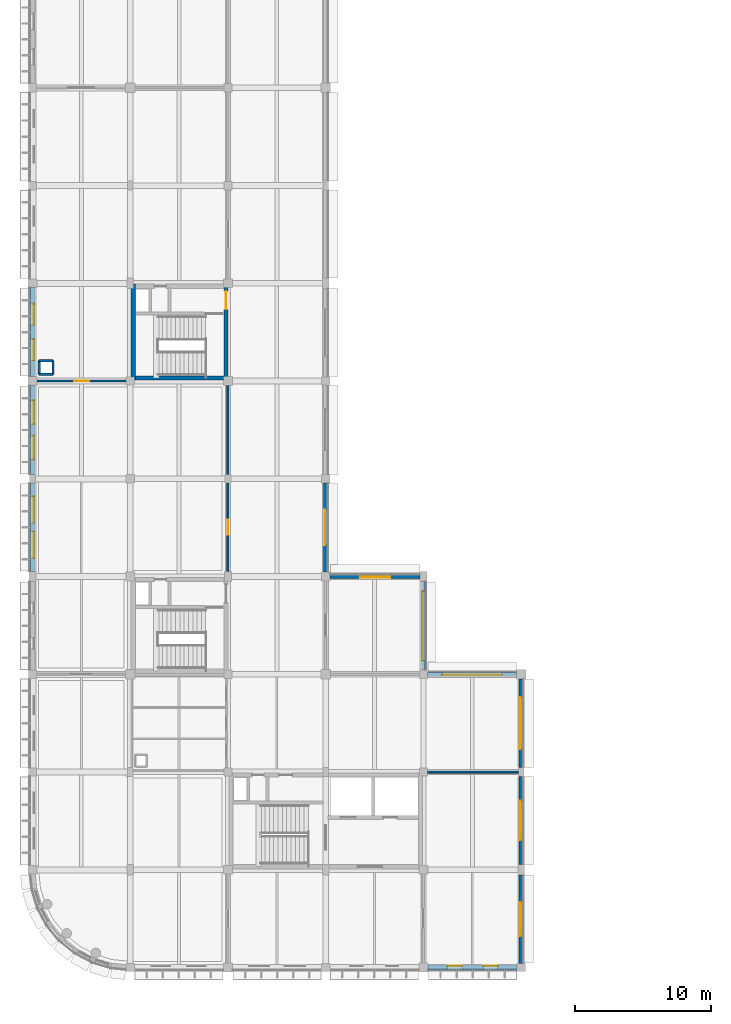
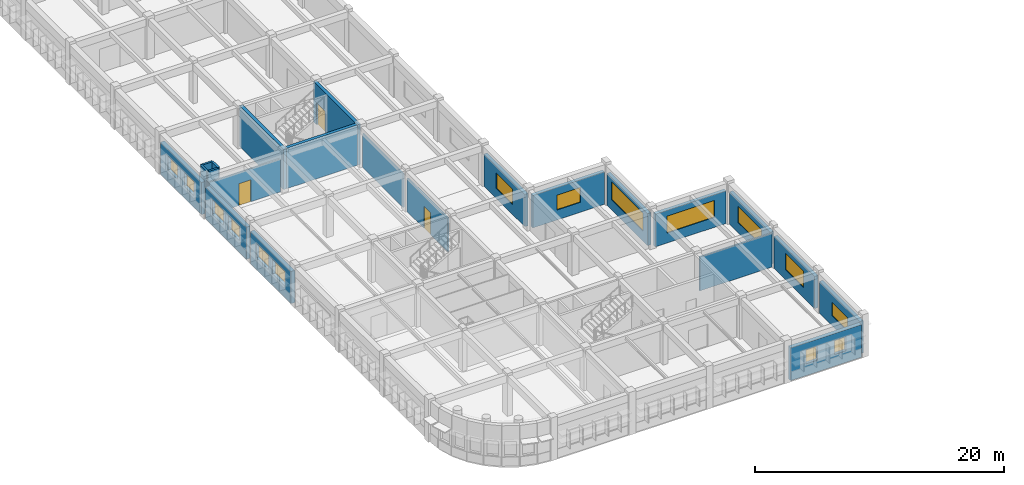
# One storey, part 21 of 38: 22 walls, 15 windows, 3 doors, 18 openings.
"""IFC4 building model written with IfcOpenShell, lengths in metres."""

from ifc_helpers import new_model, si_unit, direction, frame, frame_2d, origin, place, context, subcontext, project, spatial, rectangle, extrude, material, layer, layer_set, type_object, element, fill, save


model = new_model("IFC4")

# Units and contexts
model_context = context("Model", 3, precision=1e-05, world=origin(), true_north=direction((0.0, 1.0)))
body_context = subcontext(model_context, "Body", "Model", "MODEL_VIEW")
ifc_project = project(units=[si_unit("LENGTHUNIT", "METRE"), si_unit("AREAUNIT", "SQUARE_METRE"), si_unit("VOLUMEUNIT", "CUBIC_METRE"), si_unit("PLANEANGLEUNIT", "RADIAN"), si_unit("MASSUNIT", "GRAM", prefix="KILO")], contexts=[model_context])

# Site, building, storey
site_placement = place(None, origin())
site = spatial("IfcSite", under=ifc_project, at=site_placement, CompositionType="ELEMENT")
building_placement = place(site_placement, origin())
building = spatial("IfcBuilding", under=site, at=building_placement, Name="Thalmaran Polytechnic", CompositionType="ELEMENT")
storey_placement = place(building_placement, frame((0.0, 0.0, 18.60009765625)))
storey = spatial("IfcBuildingStorey", under=building, at=storey_placement, Name="L04", CompositionType="ELEMENT", Elevation=18.60009765625)

# Wall, openings, windows
ifc_material_1 = material(Name="Precast concrete C40/50", Category="concrete")
ifc_layer_1 = layer(ifc_material_1, 0.360107421875, Name="Precast concrete C40/50")
ifc_layer_set_1 = layer_set([ifc_layer_1], Name="Precast concrete C40/50")
wall_type_1 = type_object("IfcWallType", Name="WL-EW01", PredefinedType="STANDARD", material=ifc_layer_set_1)
wall_1_placement = place(storey_placement, frame((0.0, 29.175048828125, 0.0), z_axis=(0.0, 0.0, 1.0), x_axis=(0.0, 1.0, 0.0)))
wall_1 = element("IfcWall", 1, at=wall_1_placement, inside=storey, type_object=wall_type_1, Name="Exterior Precast Facade Wall L04-029", PredefinedType="STANDARD", context=body_context, shape_type="SweptSolid", body=[
    extrude(rectangle(XDim=6.5048828125, YDim=0.360107421875, at=frame_2d((3.25244140625, 0.0))), origin(), (0.0, 0.0, 1.0), 3.14990234375),
])
opening_1_placement = place(wall_1_placement, frame((0.9765625, 0.0, 1.14990234375)))
opening_1 = element("IfcOpeningElement", 2, at=opening_1_placement, cuts=wall_1, Name="Opening VW07", PredefinedType="OPENING", context=body_context, shape_type="SweptSolid", body=[
    extrude(rectangle(XDim=1.949951171875, YDim=1.39990234375, at=frame_2d((0.97509765625, 0.699951171875))), frame((0.0, 0.18994140625, 0.0), z_axis=(0.0, -1.0, 0.0), x_axis=(1.0, 0.0, 0.0)), (0.0, 0.0, 1.0), 0.380126953125),
])
opening_2_placement = place(wall_1_placement, frame((3.57861328125, 0.0, 1.14990234375)))
opening_2 = element("IfcOpeningElement", 3, at=opening_2_placement, cuts=wall_1, Name="Opening VW07", PredefinedType="OPENING", context=body_context, shape_type="SweptSolid", body=[
    extrude(rectangle(XDim=1.949951171875, YDim=1.39990234375, at=frame_2d((0.97509765625, 0.699951171875))), frame((0.0, 0.18994140625, 0.0), z_axis=(0.0, -1.0, 0.0), x_axis=(1.0, 0.0, 0.0)), (0.0, 0.0, 1.0), 0.380126953125),
])
ifc_material_2 = material(Name="Thermally broken aluminium and double low-E glass", Category="aluminium")
window_type_1 = type_object("IfcWindowType", Name="WN-VZ07", PartitioningType="SINGLE_PANEL", PredefinedType="WINDOW", material=ifc_material_2)
window_1_placement = place(opening_1_placement, origin())
window_1 = element("IfcWindow", 4, at=window_1_placement, inside=storey, type_object=window_type_1, Name="Deep-Set Solar-Screened Window W-0554", OverallHeight=1.39990234375, OverallWidth=1.949951171875, PartitioningType="SINGLE_PANEL", PredefinedType="WINDOW", context=body_context, shape_type="SweptSolid", body=[
    extrude(rectangle(XDim=1.949951171875, YDim=1.39990234375, at=frame_2d((0.97509765625, 0.699951171875))), frame((0.0, -0.080078125, 0.0), z_axis=(0.0, -1.0, 0.0), x_axis=(1.0, 0.0, 0.0)), (0.0, 0.0, 1.0), 0.06005859375),
])
fill(opening_1, window_1)
window_2_placement = place(opening_2_placement, origin())
window_2 = element("IfcWindow", 5, at=window_2_placement, inside=storey, type_object=window_type_1, Name="Deep-Set Solar-Screened Window W-0555", OverallHeight=1.39990234375, OverallWidth=1.949951171875, PartitioningType="SINGLE_PANEL", PredefinedType="WINDOW", context=body_context, shape_type="SweptSolid", body=[
    extrude(rectangle(XDim=1.949951171875, YDim=1.39990234375, at=frame_2d((0.97509765625, 0.699951171875))), frame((0.0, -0.080078125, 0.0), z_axis=(0.0, -1.0, 0.0), x_axis=(1.0, 0.0, 0.0)), (0.0, 0.0, 1.0), 0.06005859375),
])
fill(opening_2, window_2)

wall_2_placement = place(storey_placement, frame((0.0, 36.320068359375, 0.0), z_axis=(0.0, 0.0, 1.0), x_axis=(0.0, 1.0, 0.0)))
wall_2 = element("IfcWall", 6, at=wall_2_placement, inside=storey, type_object=wall_type_1, Name="Exterior Precast Facade Wall L04-030", PredefinedType="STANDARD", context=body_context, shape_type="SweptSolid", body=[
    extrude(rectangle(XDim=6.5400390625, YDim=0.360107421875, at=frame_2d((3.27001953125, 0.0))), origin(), (0.0, 0.0, 1.0), 3.14990234375),
])
opening_3_placement = place(wall_2_placement, frame((1.0869140625, 0.0, 1.14990234375)))
opening_3 = element("IfcOpeningElement", 7, at=opening_3_placement, cuts=wall_2, Name="Opening VW08", PredefinedType="OPENING", context=body_context, shape_type="SweptSolid", body=[
    extrude(rectangle(XDim=1.75, YDim=1.39990234375, at=frame_2d((0.875, 0.699951171875))), frame((0.0, 0.18994140625, 0.0), z_axis=(0.0, -1.0, 0.0), x_axis=(1.0, 0.0, 0.0)), (0.0, 0.0, 1.0), 0.380126953125),
])
opening_4_placement = place(wall_2_placement, frame((3.702880859375, 0.0, 1.14990234375)))
opening_4 = element("IfcOpeningElement", 8, at=opening_4_placement, cuts=wall_2, Name="Opening VW08", PredefinedType="OPENING", context=body_context, shape_type="SweptSolid", body=[
    extrude(rectangle(XDim=1.75, YDim=1.39990234375, at=frame_2d((0.875, 0.699951171875))), frame((0.0, 0.18994140625, 0.0), z_axis=(0.0, -1.0, 0.0), x_axis=(1.0, 0.0, 0.0)), (0.0, 0.0, 1.0), 0.380126953125),
])
window_type_2 = type_object("IfcWindowType", Name="WN-VZ08", PartitioningType="SINGLE_PANEL", PredefinedType="WINDOW", material=ifc_material_2)
window_3_placement = place(opening_3_placement, origin())
window_3 = element("IfcWindow", 9, at=window_3_placement, inside=storey, type_object=window_type_2, Name="Deep-Set Solar-Screened Window W-0556", OverallHeight=1.39990234375, OverallWidth=1.75, PartitioningType="SINGLE_PANEL", PredefinedType="WINDOW", context=body_context, shape_type="SweptSolid", body=[
    extrude(rectangle(XDim=1.75, YDim=1.39990234375, at=frame_2d((0.875, 0.699951171875))), frame((0.0, -0.080078125, 0.0), z_axis=(0.0, -1.0, 0.0), x_axis=(1.0, 0.0, 0.0)), (0.0, 0.0, 1.0), 0.06005859375),
])
fill(opening_3, window_3)
window_4_placement = place(opening_4_placement, origin())
window_4 = element("IfcWindow", 10, at=window_4_placement, inside=storey, type_object=window_type_2, Name="Deep-Set Solar-Screened Window W-0557", OverallHeight=1.39990234375, OverallWidth=1.75, PartitioningType="SINGLE_PANEL", PredefinedType="WINDOW", context=body_context, shape_type="SweptSolid", body=[
    extrude(rectangle(XDim=1.75, YDim=1.39990234375, at=frame_2d((0.875, 0.699951171875))), frame((0.0, -0.080078125, 0.0), z_axis=(0.0, -1.0, 0.0), x_axis=(1.0, 0.0, 0.0)), (0.0, 0.0, 1.0), 0.06005859375),
])
fill(opening_4, window_4)

wall_3_placement = place(storey_placement, frame((0.0, 43.5400390625, 0.0), z_axis=(0.0, 0.0, 1.0), x_axis=(0.0, 1.0, 0.0)))
wall_3 = element("IfcWall", 11, at=wall_3_placement, inside=storey, type_object=wall_type_1, Name="Exterior Precast Facade Wall L04-031", PredefinedType="STANDARD", context=body_context, shape_type="SweptSolid", body=[
    extrude(rectangle(XDim=6.534912109375, YDim=0.360107421875, at=frame_2d((3.267578125, 0.0))), origin(), (0.0, 0.0, 1.0), 3.14990234375),
])
opening_5_placement = place(wall_3_placement, frame((1.185546875, 0.0, 1.14990234375)))
opening_5 = element("IfcOpeningElement", 12, at=opening_5_placement, cuts=wall_3, Name="Opening VW09", PredefinedType="OPENING", context=body_context, shape_type="SweptSolid", body=[
    extrude(rectangle(XDim=1.550048828125, YDim=1.35009765625, at=frame_2d((0.77490234375, 0.675048828125))), frame((0.0, 0.18994140625, 0.0), z_axis=(0.0, -1.0, 0.0), x_axis=(1.0, 0.0, 0.0)), (0.0, 0.0, 1.0), 0.380126953125),
])
opening_6_placement = place(wall_3_placement, frame((3.799560546875, 0.0, 1.14990234375)))
opening_6 = element("IfcOpeningElement", 13, at=opening_6_placement, cuts=wall_3, Name="Opening VW09", PredefinedType="OPENING", context=body_context, shape_type="SweptSolid", body=[
    extrude(rectangle(XDim=1.550048828125, YDim=1.35009765625, at=frame_2d((0.77490234375, 0.675048828125))), frame((0.0, 0.18994140625, 0.0), z_axis=(0.0, -1.0, 0.0), x_axis=(1.0, 0.0, 0.0)), (0.0, 0.0, 1.0), 0.380126953125),
])
window_type_3 = type_object("IfcWindowType", Name="WN-VZ09", PartitioningType="SINGLE_PANEL", PredefinedType="WINDOW", material=ifc_material_2)
window_5_placement = place(opening_5_placement, origin())
window_5 = element("IfcWindow", 14, at=window_5_placement, inside=storey, type_object=window_type_3, Name="Deep-Set Solar-Screened Window W-0558", OverallHeight=1.35009765625, OverallWidth=1.550048828125, PartitioningType="SINGLE_PANEL", PredefinedType="WINDOW", context=body_context, shape_type="SweptSolid", body=[
    extrude(rectangle(XDim=1.550048828125, YDim=1.35009765625, at=frame_2d((0.77490234375, 0.675048828125))), frame((0.0, -0.080078125, 0.0), z_axis=(0.0, -1.0, 0.0), x_axis=(1.0, 0.0, 0.0)), (0.0, 0.0, 1.0), 0.06005859375),
])
fill(opening_5, window_5)
window_6_placement = place(opening_6_placement, origin())
window_6 = element("IfcWindow", 15, at=window_6_placement, inside=storey, type_object=window_type_3, Name="Deep-Set Solar-Screened Window W-0559", OverallHeight=1.35009765625, OverallWidth=1.550048828125, PartitioningType="SINGLE_PANEL", PredefinedType="WINDOW", context=body_context, shape_type="SweptSolid", body=[
    extrude(rectangle(XDim=1.550048828125, YDim=1.35009765625, at=frame_2d((0.77490234375, 0.675048828125))), frame((0.0, -0.080078125, 0.0), z_axis=(0.0, -1.0, 0.0), x_axis=(1.0, 0.0, 0.0)), (0.0, 0.0, 1.0), 0.06005859375),
])
fill(opening_6, window_6)

wall_4_placement = place(storey_placement, frame((35.699951171875, 0.0, 0.0), z_axis=(0.0, 0.0, 1.0), x_axis=(-1.0, 0.0, 0.0)))
wall_4 = element("IfcWall", 16, at=wall_4_placement, inside=storey, type_object=wall_type_1, Name="Exterior Precast Facade Wall L04-094", PredefinedType="STANDARD", context=body_context, shape_type="SweptSolid", body=[
    extrude(rectangle(XDim=6.56005859375, YDim=0.360107421875, at=frame_2d((3.280029296875, 0.0))), origin(), (0.0, 0.0, 1.0), 3.199951171875),
])
opening_7_placement = place(wall_4_placement, frame((1.443115234375, 0.0, 1.14990234375)))
opening_7 = element("IfcOpeningElement", 17, at=opening_7_placement, cuts=wall_4, Name="Opening PW12", PredefinedType="OPENING", context=body_context, shape_type="SweptSolid", body=[
    extrude(rectangle(XDim=1.050048828125, YDim=1.35009765625, at=frame_2d((0.52490234375, 0.675048828125))), frame((0.0, 0.18994140625, 0.0), z_axis=(0.0, -1.0, 0.0), x_axis=(1.0, 0.0, 0.0)), (0.0, 0.0, 1.0), 0.380126953125),
])
opening_8_placement = place(wall_4_placement, frame((4.06689453125, 0.0, 1.14990234375)))
opening_8 = element("IfcOpeningElement", 18, at=opening_8_placement, cuts=wall_4, Name="Opening PW12", PredefinedType="OPENING", context=body_context, shape_type="SweptSolid", body=[
    extrude(rectangle(XDim=1.050048828125, YDim=1.35009765625, at=frame_2d((0.52490234375, 0.675048828125))), frame((0.0, 0.18994140625, 0.0), z_axis=(0.0, -1.0, 0.0), x_axis=(1.0, 0.0, 0.0)), (0.0, 0.0, 1.0), 0.380126953125),
])
window_type_4 = type_object("IfcWindowType", Name="WN-PW02", PartitioningType="SINGLE_PANEL", PredefinedType="WINDOW", material=ifc_material_2)
window_7_placement = place(opening_7_placement, origin())
window_7 = element("IfcWindow", 19, at=window_7_placement, inside=storey, type_object=window_type_4, Name="Deep-Set Solar-Screened Window W-0636", OverallHeight=1.35009765625, OverallWidth=1.050048828125, PartitioningType="SINGLE_PANEL", PredefinedType="WINDOW", context=body_context, shape_type="SweptSolid", body=[
    extrude(rectangle(XDim=1.050048828125, YDim=1.35009765625, at=frame_2d((0.52490234375, 0.675048828125))), frame((0.0, -0.080078125, 0.0), z_axis=(0.0, -1.0, 0.0), x_axis=(1.0, 0.0, 0.0)), (0.0, 0.0, 1.0), 0.06005859375),
])
fill(opening_7, window_7)
window_8_placement = place(opening_8_placement, origin())
window_8 = element("IfcWindow", 20, at=window_8_placement, inside=storey, type_object=window_type_4, Name="Deep-Set Solar-Screened Window W-0637", OverallHeight=1.35009765625, OverallWidth=1.050048828125, PartitioningType="SINGLE_PANEL", PredefinedType="WINDOW", context=body_context, shape_type="SweptSolid", body=[
    extrude(rectangle(XDim=1.050048828125, YDim=1.35009765625, at=frame_2d((0.52490234375, 0.675048828125))), frame((0.0, -0.080078125, 0.0), z_axis=(0.0, -1.0, 0.0), x_axis=(1.0, 0.0, 0.0)), (0.0, 0.0, 1.0), 0.06005859375),
])
fill(opening_8, window_8)

# Wall, opening, window
ifc_layer_2 = layer(ifc_material_1, 0.31005859375, Name="Precast concrete C40/50")
ifc_layer_set_2 = layer_set([ifc_layer_2], Name="Precast concrete C40/50")
wall_type_2 = type_object("IfcWallType", Name="WL-EW03", PredefinedType="STANDARD", material=ifc_layer_set_2)
wall_5_placement = place(storey_placement, frame((21.60009765625, 35.68994140625, 0.0), z_axis=(0.0, 0.0, 1.0), x_axis=(0.0, -1.0, 0.0)))
wall_5 = element("IfcWall", 21, at=wall_5_placement, inside=storey, type_object=wall_type_2, Name="Exterior Precast Facade Wall L04-087", PredefinedType="STANDARD", context=body_context, shape_type="SweptSolid", body=[
    extrude(rectangle(XDim=6.56494140625, YDim=0.31005859375, at=frame_2d((3.282470703125, 0.0))), origin(), (0.0, 0.0, 1.0), 3.14990234375),
])
opening_9_placement = place(wall_5_placement, frame((1.982421875, 0.0, 0.97998046875)))
opening_9 = element("IfcOpeningElement", 22, at=opening_9_placement, cuts=wall_5, Name="Opening VW05", PredefinedType="OPENING", context=body_context, shape_type="SweptSolid", body=[
    extrude(rectangle(XDim=2.60009765625, YDim=1.5, at=frame_2d((1.300048828125, 0.75))), frame((0.0, 0.1650390625, 0.0), z_axis=(0.0, -1.0, 0.0), x_axis=(1.0, 0.0, 0.0)), (0.0, 0.0, 1.0), 0.330078125),
])
window_type_5 = type_object("IfcWindowType", Name="WN-VZ05", PartitioningType="DOUBLE_PANEL_VERTICAL", PredefinedType="WINDOW", material=ifc_material_2)
window_9_placement = place(opening_9_placement, origin())
window_9 = element("IfcWindow", 23, at=window_9_placement, inside=storey, type_object=window_type_5, Name="Streamline Ribbon Window W-0629", OverallHeight=1.5, OverallWidth=2.60009765625, PartitioningType="SINGLE_PANEL", PredefinedType="WINDOW", context=body_context, shape_type="SweptSolid", body=[
    extrude(rectangle(XDim=2.60009765625, YDim=1.5, at=frame_2d((1.300048828125, 0.75))), frame((0.0, -0.030029296875, 0.0), z_axis=(0.0, -1.0, 0.0), x_axis=(1.0, 0.0, 0.0)), (0.0, 0.0, 1.0), 0.06005859375),
])
fill(opening_9, window_9)

wall_6_placement = place(storey_placement, frame((21.925048828125, 28.800048828125, 0.0), z_axis=(0.0, 0.0, 1.0), x_axis=(1.0, 0.0, 0.0)))
wall_6 = element("IfcWall", 24, at=wall_6_placement, inside=storey, type_object=wall_type_2, Name="Exterior Precast Facade Wall L04-088", PredefinedType="STANDARD", context=body_context, shape_type="SweptSolid", body=[
    extrude(rectangle(XDim=6.625, YDim=0.31005859375, at=frame_2d((3.3125, 0.0))), origin(), (0.0, 0.0, 1.0), 3.179931640625),
])
opening_10_placement = place(wall_6_placement, frame((2.21240234375, 0.0, 0.97998046875)))
opening_10 = element("IfcOpeningElement", 25, at=opening_10_placement, cuts=wall_6, Name="Opening VW06", PredefinedType="OPENING", context=body_context, shape_type="SweptSolid", body=[
    extrude(rectangle(XDim=2.199951171875, YDim=1.449951171875, at=frame_2d((1.10009765625, 0.72509765625))), frame((0.0, 0.1650390625, 0.0), z_axis=(0.0, -1.0, 0.0), x_axis=(1.0, 0.0, 0.0)), (0.0, 0.0, 1.0), 0.330078125),
])
window_type_6 = type_object("IfcWindowType", Name="WN-VZ06", PartitioningType="DOUBLE_PANEL_VERTICAL", PredefinedType="WINDOW", material=ifc_material_2)
window_10_placement = place(opening_10_placement, origin())
window_10 = element("IfcWindow", 26, at=window_10_placement, inside=storey, type_object=window_type_6, Name="Streamline Ribbon Window W-0630", OverallHeight=1.449951171875, OverallWidth=2.199951171875, PartitioningType="SINGLE_PANEL", PredefinedType="WINDOW", context=body_context, shape_type="SweptSolid", body=[
    extrude(rectangle(XDim=2.199951171875, YDim=1.449951171875, at=frame_2d((1.10009765625, 0.72509765625))), frame((0.0, -0.030029296875, 0.0), z_axis=(0.0, -1.0, 0.0), x_axis=(1.0, 0.0, 0.0)), (0.0, 0.0, 1.0), 0.06005859375),
])
fill(opening_10, window_10)

wall_7_placement = place(storey_placement, frame((28.800048828125, 28.425048828125, 0.0), z_axis=(0.0, 0.0, 1.0), x_axis=(0.0, -1.0, 0.0)))
wall_7 = element("IfcWall", 27, at=wall_7_placement, inside=storey, type_object=wall_type_2, Name="Exterior Precast Facade Wall L04-089", PredefinedType="STANDARD", context=body_context, shape_type="SweptSolid", body=[
    extrude(rectangle(XDim=6.525146484375, YDim=0.31005859375, at=frame_2d((3.2626953125, 0.0))), origin(), (0.0, 0.0, 1.0), 3.1298828125),
])
opening_11_placement = place(wall_7_placement, frame((0.71240234375, 0.0, 0.97998046875)))
opening_11 = element("IfcOpeningElement", 28, at=opening_11_placement, cuts=wall_7, Name="Opening VW15", PredefinedType="OPENING", context=body_context, shape_type="SweptSolid", body=[
    extrude(rectangle(XDim=5.10009765625, YDim=1.75, at=frame_2d((2.550048828125, 0.875))), frame((0.0, 0.1650390625, 0.0), z_axis=(0.0, -1.0, 0.0), x_axis=(1.0, 0.0, 0.0)), (0.0, 0.0, 1.0), 0.330078125),
])
window_type_7 = type_object("IfcWindowType", Name="WN-VZ15", PartitioningType="TRIPLE_PANEL_HORIZONTAL", PredefinedType="WINDOW", material=ifc_material_2)
window_11_placement = place(opening_11_placement, origin())
window_11 = element("IfcWindow", 29, at=window_11_placement, inside=storey, type_object=window_type_7, Name="Streamline Ribbon Window W-0631", OverallHeight=1.75, OverallWidth=5.10009765625, PartitioningType="SINGLE_PANEL", PredefinedType="WINDOW", context=body_context, shape_type="SweptSolid", body=[
    extrude(rectangle(XDim=5.10009765625, YDim=1.75, at=frame_2d((2.550048828125, 0.875))), frame((0.0, -0.030029296875, 0.0), z_axis=(0.0, -1.0, 0.0), x_axis=(1.0, 0.0, 0.0)), (0.0, 0.0, 1.0), 0.06005859375),
])
fill(opening_11, window_11)

wall_8_placement = place(storey_placement, frame((29.10009765625, 21.60009765625, 0.0), z_axis=(0.0, 0.0, 1.0), x_axis=(1.0, 0.0, 0.0)))
wall_8 = element("IfcWall", 30, at=wall_8_placement, inside=storey, type_object=wall_type_2, Name="Exterior Precast Facade Wall L04-090", PredefinedType="STANDARD", context=body_context, shape_type="SweptSolid", body=[
    extrude(rectangle(XDim=6.559814453125, YDim=0.31005859375, at=frame_2d((3.27978515625, 0.0))), origin(), (0.0, 0.0, 1.0), 3.199951171875),
])
opening_12_placement = place(wall_8_placement, frame((1.080078125, 0.0, 0.97998046875)))
opening_12 = element("IfcOpeningElement", 31, at=opening_12_placement, cuts=wall_8, Name="Opening VW16", PredefinedType="OPENING", context=body_context, shape_type="SweptSolid", body=[
    extrude(rectangle(XDim=4.39990234375, YDim=1.64990234375, at=frame_2d((2.199951171875, 0.824951171875))), frame((0.0, 0.1650390625, 0.0), z_axis=(0.0, -1.0, 0.0), x_axis=(1.0, 0.0, 0.0)), (0.0, 0.0, 1.0), 0.330078125),
])
window_type_8 = type_object("IfcWindowType", Name="WN-VZ16", PartitioningType="TRIPLE_PANEL_HORIZONTAL", PredefinedType="WINDOW", material=ifc_material_2)
window_12_placement = place(opening_12_placement, origin())
window_12 = element("IfcWindow", 32, at=window_12_placement, inside=storey, type_object=window_type_8, Name="Streamline Ribbon Window W-0632", OverallHeight=1.64990234375, OverallWidth=4.39990234375, PartitioningType="SINGLE_PANEL", PredefinedType="WINDOW", context=body_context, shape_type="SweptSolid", body=[
    extrude(rectangle(XDim=4.39990234375, YDim=1.64990234375, at=frame_2d((2.199951171875, 0.824951171875))), frame((0.0, -0.030029296875, 0.0), z_axis=(0.0, -1.0, 0.0), x_axis=(1.0, 0.0, 0.0)), (0.0, 0.0, 1.0), 0.06005859375),
])
fill(opening_12, window_12)

wall_9_placement = place(storey_placement, frame((36.0, 21.260009765625, 0.0), z_axis=(0.0, 0.0, 1.0), x_axis=(0.0, -1.0, 0.0)))
wall_9 = element("IfcWall", 33, at=wall_9_placement, inside=storey, type_object=wall_type_2, Name="Exterior Precast Facade Wall L04-091", PredefinedType="STANDARD", context=body_context, shape_type="SweptSolid", body=[
    extrude(rectangle(XDim=6.5400390625, YDim=0.31005859375, at=frame_2d((3.27001953125, 0.0))), origin(), (0.0, 0.0, 1.0), 3.14990234375),
])
opening_13_placement = place(wall_9_placement, frame((1.3701171875, 0.0, 0.97998046875)))
opening_13 = element("IfcOpeningElement", 34, at=opening_13_placement, cuts=wall_9, Name="Opening VW17", PredefinedType="OPENING", context=body_context, shape_type="SweptSolid", body=[
    extrude(rectangle(XDim=3.800048828125, YDim=1.60009765625, at=frame_2d((1.89990234375, 0.800048828125))), frame((0.0, 0.1650390625, 0.0), z_axis=(0.0, -1.0, 0.0), x_axis=(1.0, 0.0, 0.0)), (0.0, 0.0, 1.0), 0.330078125),
])
window_type_9 = type_object("IfcWindowType", Name="WN-VZ17", PartitioningType="DOUBLE_PANEL_VERTICAL", PredefinedType="WINDOW", material=ifc_material_2)
window_13_placement = place(opening_13_placement, origin())
window_13 = element("IfcWindow", 35, at=window_13_placement, inside=storey, type_object=window_type_9, Name="Streamline Ribbon Window W-0633", OverallHeight=1.60009765625, OverallWidth=3.800048828125, PartitioningType="SINGLE_PANEL", PredefinedType="WINDOW", context=body_context, shape_type="SweptSolid", body=[
    extrude(rectangle(XDim=3.800048828125, YDim=1.60009765625, at=frame_2d((1.89990234375, 0.800048828125))), frame((0.0, -0.030029296875, 0.0), z_axis=(0.0, -1.0, 0.0), x_axis=(1.0, 0.0, 0.0)), (0.0, 0.0, 1.0), 0.06005859375),
])
fill(opening_13, window_13)

wall_10_placement = place(storey_placement, frame((36.0, 14.080078125, 0.0), z_axis=(0.0, 0.0, 1.0), x_axis=(0.0, -1.0, 0.0)))
wall_10 = element("IfcWall", 36, at=wall_10_placement, inside=storey, type_object=wall_type_2, Name="Exterior Precast Facade Wall L04-092", PredefinedType="STANDARD", context=body_context, shape_type="SweptSolid", body=[
    extrude(rectangle(XDim=6.505126953125, YDim=0.31005859375, at=frame_2d((3.25244140625, 0.0))), origin(), (0.0, 0.0, 1.0), 3.14990234375),
])
opening_14_placement = place(wall_10_placement, frame((1.802490234375, 0.0, 0.97998046875)))
opening_14 = element("IfcOpeningElement", 37, at=opening_14_placement, cuts=wall_10, Name="Opening VW18", PredefinedType="OPENING", context=body_context, shape_type="SweptSolid", body=[
    extrude(rectangle(XDim=2.89990234375, YDim=1.60009765625, at=frame_2d((1.449951171875, 0.800048828125))), frame((0.0, 0.1650390625, 0.0), z_axis=(0.0, -1.0, 0.0), x_axis=(1.0, 0.0, 0.0)), (0.0, 0.0, 1.0), 0.330078125),
])
window_type_10 = type_object("IfcWindowType", Name="WN-VZ18", PartitioningType="DOUBLE_PANEL_VERTICAL", PredefinedType="WINDOW", material=ifc_material_2)
window_14_placement = place(opening_14_placement, origin())
window_14 = element("IfcWindow", 38, at=window_14_placement, inside=storey, type_object=window_type_10, Name="Streamline Ribbon Window W-0634", OverallHeight=1.60009765625, OverallWidth=2.89990234375, PartitioningType="SINGLE_PANEL", PredefinedType="WINDOW", context=body_context, shape_type="SweptSolid", body=[
    extrude(rectangle(XDim=2.89990234375, YDim=1.60009765625, at=frame_2d((1.449951171875, 0.800048828125))), frame((0.0, -0.030029296875, 0.0), z_axis=(0.0, -1.0, 0.0), x_axis=(1.0, 0.0, 0.0)), (0.0, 0.0, 1.0), 0.06005859375),
])
fill(opening_14, window_14)

wall_11_placement = place(storey_placement, frame((36.0, 6.824951171875, 0.0), z_axis=(0.0, 0.0, 1.0), x_axis=(0.0, -1.0, 0.0)))
wall_11 = element("IfcWall", 39, at=wall_11_placement, inside=storey, type_object=wall_type_2, Name="Exterior Precast Facade Wall L04-093", PredefinedType="STANDARD", context=body_context, shape_type="SweptSolid", body=[
    extrude(rectangle(XDim=6.52490234375, YDim=0.31005859375, at=frame_2d((3.262451171875, 0.0))), origin(), (0.0, 0.0, 1.0), 3.14990234375),
])
opening_15_placement = place(wall_11_placement, frame((2.012451171875, 0.0, 0.97998046875)))
opening_15 = element("IfcOpeningElement", 40, at=opening_15_placement, cuts=wall_11, Name="Opening VW19", PredefinedType="OPENING", context=body_context, shape_type="SweptSolid", body=[
    extrude(rectangle(XDim=2.5, YDim=1.35009765625, at=frame_2d((1.25, 0.675048828125))), frame((0.0, 0.1650390625, 0.0), z_axis=(0.0, -1.0, 0.0), x_axis=(1.0, 0.0, 0.0)), (0.0, 0.0, 1.0), 0.330078125),
])
window_type_11 = type_object("IfcWindowType", Name="WN-VZ19", PartitioningType="DOUBLE_PANEL_VERTICAL", PredefinedType="WINDOW", material=ifc_material_2)
window_15_placement = place(opening_15_placement, origin())
window_15 = element("IfcWindow", 41, at=window_15_placement, inside=storey, type_object=window_type_11, Name="Streamline Ribbon Window W-0635", OverallHeight=1.35009765625, OverallWidth=2.5, PartitioningType="SINGLE_PANEL", PredefinedType="WINDOW", context=body_context, shape_type="SweptSolid", body=[
    extrude(rectangle(XDim=2.5, YDim=1.35009765625, at=frame_2d((1.25, 0.675048828125))), frame((0.0, -0.030029296875, 0.0), z_axis=(0.0, -1.0, 0.0), x_axis=(1.0, 0.0, 0.0)), (0.0, 0.0, 1.0), 0.06005859375),
])
fill(opening_15, window_15)

# Walls
ifc_material_3 = material(Name="Autoclaved aerated masonry", Category="masonry")
ifc_layer_3 = layer(ifc_material_3, 0.179931640625, Name="Autoclaved aerated masonry")
ifc_layer_set_3 = layer_set([ifc_layer_3], Name="Autoclaved aerated masonry")
wall_type_3 = type_object("IfcWallType", Name="WL-IW04", PredefinedType="PARTITIONING", material=ifc_layer_set_3)
for number, where, z_axis, x_axis, name in (
    (42, (0.489990234375, 43.68994140625, 0.0), (0.0, 0.0, 1.0), (1.0, 0.0, 0.0), "Fume Exhaust Riser Shaft Wall L04 (0,6)-S"),
    (43, (1.510009765625, 43.68994140625, 0.0), (0.0, 0.0, 1.0), (0.0, 1.0, 0.0), "Fume Exhaust Riser Shaft Wall L04 (0,6)-E"),
    (44, (1.510009765625, 44.7099609375, 0.0), (0.0, 0.0, 1.0), (-1.0, 0.0, 0.0), "Fume Exhaust Riser Shaft Wall L04 (0,6)-N"),
    (45, (0.489990234375, 44.7099609375, 0.0), (0.0, 0.0, 1.0), (0.0, -1.0, 0.0), "Fume Exhaust Riser Shaft Wall L04 (0,6)-W"),
):
    element("IfcWall", number, at=place(storey_placement, frame(where, z_axis=z_axis, x_axis=x_axis)), inside=storey, type_object=wall_type_3, Name=name, PredefinedType="PARTITIONING", context=body_context, shape_type="SweptSolid", body=[
        extrude(rectangle(XDim=1.02001953125, YDim=0.179931640625, at=frame_2d((0.510009765625, 0.0))), origin(), (0.0, 0.0, 1.0), 3.954833984375),
    ])

# Wall, opening, door
ifc_material_4 = material(Name="Gypsum acoustic partition")
ifc_layer_4 = layer(ifc_material_4, 0.14501953125, Name="Gypsum acoustic partition")
ifc_layer_set_4 = layer_set([ifc_layer_4], Name="Gypsum acoustic partition")
wall_type_4 = type_object("IfcWallType", Name="WL-IW06", PredefinedType="PARTITIONING", material=ifc_layer_set_4)
wall_12_placement = place(storey_placement, frame((14.39990234375, 29.179931640625, 0.0), z_axis=(0.0, 0.0, 1.0), x_axis=(0.0, 1.0, 0.0)))
wall_12 = element("IfcWall", 46, at=wall_12_placement, inside=storey, type_object=wall_type_4, Name="Interior Partition IW06 L04-012", PredefinedType="PARTITIONING", context=body_context, shape_type="SweptSolid", body=[
    extrude(rectangle(XDim=6.4951171875, YDim=0.14501953125, at=frame_2d((3.24755859375, 0.0))), origin(), (0.0, 0.0, 1.0), 3.27001953125),
])
opening_16_placement = place(wall_12_placement, frame((2.697509765625, 0.0, 0.0)))
opening_16 = element("IfcOpeningElement", 47, at=opening_16_placement, cuts=wall_12, Name="Opening D-L04-003-1-02-2", PredefinedType="OPENING", context=body_context, shape_type="SweptSolid", body=[
    extrude(rectangle(XDim=1.10009765625, YDim=2.14990234375, at=frame_2d((0.550048828125, 1.074951171875))), frame((0.0, 0.08251953125, 0.0), z_axis=(0.0, -1.0, 0.0), x_axis=(1.0, 0.0, 0.0)), (0.0, 0.0, 1.0), 0.1650390625),
])
ifc_material_5 = material(Name="Powder-coated fire-rated steel", Category="steel")
door_type_1 = type_object("IfcDoorType", Name="DR-FD07", OperationType="NOTDEFINED", PredefinedType="DOOR", material=ifc_material_5)
door_1_placement = place(opening_16_placement, origin())
door_1 = element("IfcDoor", 48, at=door_1_placement, inside=storey, type_object=door_type_1, Name="Structural Models Design Studio L04-02 Door 2", OperationType="SINGLE_SWING_LEFT", OverallHeight=2.14990234375, OverallWidth=1.10009765625, PredefinedType="DOOR", context=body_context, shape_type="SweptSolid", body=[
    extrude(rectangle(XDim=1.10009765625, YDim=2.14990234375, at=frame_2d((0.550048828125, 1.074951171875))), frame((0.0, 0.02490234375, 0.0), z_axis=(0.0, -1.0, 0.0), x_axis=(1.0, 0.0, 0.0)), (0.0, 0.0, 1.0), 0.050048828125),
])
fill(opening_16, door_1)

# Walls
wall_13_placement = place(storey_placement, frame((14.39990234375, 36.324951171875, 0.0), z_axis=(0.0, 0.0, 1.0), x_axis=(0.0, 1.0, 0.0)))
element("IfcWall", 49, at=wall_13_placement, inside=storey, type_object=wall_type_4, Name="Interior Partition IW06 L04-013", PredefinedType="PARTITIONING", context=body_context, shape_type="SweptSolid", body=[
    extrude(rectangle(XDim=6.530029296875, YDim=0.14501953125, at=frame_2d((3.26513671875, 0.0))), origin(), (0.0, 0.0, 1.0), 3.27001953125),
])
wall_14_placement = place(storey_placement, frame((29.114990234375, 14.39990234375, 0.0), z_axis=(0.0, 0.0, 1.0), x_axis=(1.0, 0.0, 0.0)))
element("IfcWall", 50, at=wall_14_placement, inside=storey, type_object=wall_type_4, Name="Interior Partition IW06 L04-034", PredefinedType="PARTITIONING", context=body_context, shape_type="SweptSolid", body=[
    extrude(rectangle(XDim=6.669921875, YDim=0.14501953125, at=frame_2d((3.3349609375, 0.0))), origin(), (0.0, 0.0, 1.0), 3.31494140625),
])

# Wall, opening, door
ifc_layer_5 = layer(ifc_material_4, 0.1298828125, Name="Gypsum acoustic partition")
ifc_layer_set_5 = layer_set([ifc_layer_5], Name="Gypsum acoustic partition")
wall_type_5 = type_object("IfcWallType", Name="WL-IW07", PredefinedType="PARTITIONING", material=ifc_layer_set_5)
wall_15_placement = place(storey_placement, frame((0.344970703125, 43.199951171875, 0.0), z_axis=(0.0, 0.0, 1.0), x_axis=(1.0, 0.0, 0.0)))
wall_15 = element("IfcWall", 51, at=wall_15_placement, inside=storey, type_object=wall_type_5, Name="Interior Partition IW07 L04-002", PredefinedType="PARTITIONING", context=body_context, shape_type="SweptSolid", body=[
    extrude(rectangle(XDim=6.550048828125, YDim=0.1298828125, at=frame_2d((3.27490234375, 0.0))), origin(), (0.0, 0.0, 1.0), 3.23486328125),
])
opening_17_placement = place(wall_15_placement, frame((2.72509765625, 0.0, 0.0)))
opening_17 = element("IfcOpeningElement", 52, at=opening_17_placement, cuts=wall_15, Name="Opening D-L04-004-1-03-1", PredefinedType="OPENING", context=body_context, shape_type="SweptSolid", body=[
    extrude(rectangle(XDim=1.10009765625, YDim=2.14990234375, at=frame_2d((0.550048828125, 1.074951171875))), frame((0.0, 0.074951171875, 0.0), z_axis=(0.0, -1.0, 0.0), x_axis=(1.0, 0.0, 0.0)), (0.0, 0.0, 1.0), 0.14990234375),
])
door_2_placement = place(opening_17_placement, origin())
door_2 = element("IfcDoor", 53, at=door_2_placement, inside=storey, type_object=door_type_1, Name="Environmental Engineering Laboratory L04-03 Door 1", OperationType="SINGLE_SWING_RIGHT", OverallHeight=2.14990234375, OverallWidth=1.10009765625, PredefinedType="DOOR", context=body_context, shape_type="SweptSolid", body=[
    extrude(rectangle(XDim=1.10009765625, YDim=2.14990234375, at=frame_2d((0.550048828125, 1.074951171875))), frame((0.0, 0.02490234375, 0.0), z_axis=(0.0, -1.0, 0.0), x_axis=(1.0, 0.0, 0.0)), (0.0, 0.0, 1.0), 0.050048828125),
])
fill(opening_17, door_2)

# Walls
ifc_material_6 = material(Name="Concrete C50/60", Category="concrete")
ifc_layer_6 = layer(ifc_material_6, 0.300048828125, Name="Concrete C50/60")
ifc_layer_set_6 = layer_set([ifc_layer_6], Name="Concrete C50/60")
wall_type_6 = type_object("IfcWallType", Name="WL-SW04", PredefinedType="SHEAR", material=ifc_layer_set_6)
wall_16_placement = place(storey_placement, frame((7.570068359375, 43.419921875, 0.0), z_axis=(0.0, 0.0, 1.0), x_axis=(1.0, 0.0, 0.0)))
element("IfcWall", 54, at=wall_16_placement, inside=storey, type_object=wall_type_6, Name="Core C4 South Shear Wall L04", PredefinedType="SHEAR", context=body_context, shape_type="SweptSolid", body=[
    extrude(rectangle(XDim=6.5400390625, YDim=0.300048828125, at=frame_2d((3.27001953125, 0.0))), origin(), (0.0, 0.0, 1.0), 3.954833984375),
])
wall_17_placement = place(storey_placement, frame((7.419921875, 50.330078125, 0.0), z_axis=(0.0, 0.0, 1.0), x_axis=(0.0, -1.0, 0.0)))
element("IfcWall", 55, at=wall_17_placement, inside=storey, type_object=wall_type_6, Name="Core C4 West Shear Wall L04", PredefinedType="SHEAR", context=body_context, shape_type="SweptSolid", body=[
    extrude(rectangle(XDim=7.06005859375, YDim=0.300048828125, at=frame_2d((3.530029296875, 0.0))), origin(), (0.0, 0.0, 1.0), 3.954833984375),
])

# Wall, opening, door
wall_18_placement = place(storey_placement, frame((14.260009765625, 43.27001953125, 0.0), z_axis=(0.0, 0.0, 1.0), x_axis=(0.0, 1.0, 0.0)))
wall_18 = element("IfcWall", 56, at=wall_18_placement, inside=storey, type_object=wall_type_6, Name="Core C4 East Shear Wall L04", PredefinedType="SHEAR", context=body_context, shape_type="SweptSolid", body=[
    extrude(rectangle(XDim=7.06005859375, YDim=0.300048828125, at=frame_2d((3.530029296875, 0.0))), origin(), (0.0, 0.0, 1.0), 3.954833984375),
])
opening_18_placement = place(wall_18_placement, frame((5.199951171875, 0.0, 0.0)))
opening_18 = element("IfcOpeningElement", 57, at=opening_18_placement, cuts=wall_18, Name="Opening LD-C4-L04", PredefinedType="OPENING", context=body_context, shape_type="SweptSolid", body=[
    extrude(rectangle(XDim=1.35009765625, YDim=2.14990234375, at=frame_2d((0.675048828125, 1.074951171875))), frame((0.0, 0.159912109375, 0.0), z_axis=(0.0, -1.0, 0.0), x_axis=(1.0, 0.0, 0.0)), (0.0, 0.0, 1.0), 0.320068359375),
])
door_type_2 = type_object("IfcDoorType", Name="DR-FD06", OperationType="NOTDEFINED", PredefinedType="DOOR", material=ifc_material_5)
door_3_placement = place(opening_18_placement, origin())
door_3 = element("IfcDoor", 58, at=door_3_placement, inside=storey, type_object=door_type_2, Name="Stair Lobby Fire Door C4 L04", OperationType="SINGLE_SWING_LEFT", OverallHeight=2.14990234375, OverallWidth=1.35009765625, PredefinedType="DOOR", context=body_context, shape_type="SweptSolid", body=[
    extrude(rectangle(XDim=1.35009765625, YDim=2.14990234375, at=frame_2d((0.675048828125, 1.074951171875))), frame((0.0, 0.02490234375, 0.0), z_axis=(0.0, -1.0, 0.0), x_axis=(1.0, 0.0, 0.0)), (0.0, 0.0, 1.0), 0.050048828125),
])
fill(opening_18, door_3)

save(model, "model.ifc")
